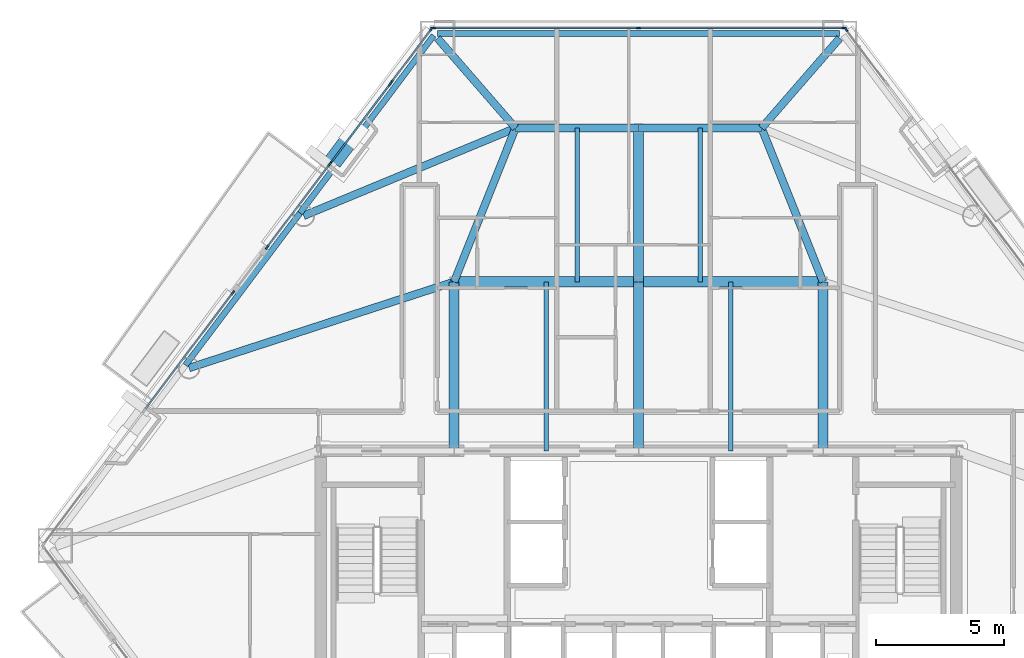
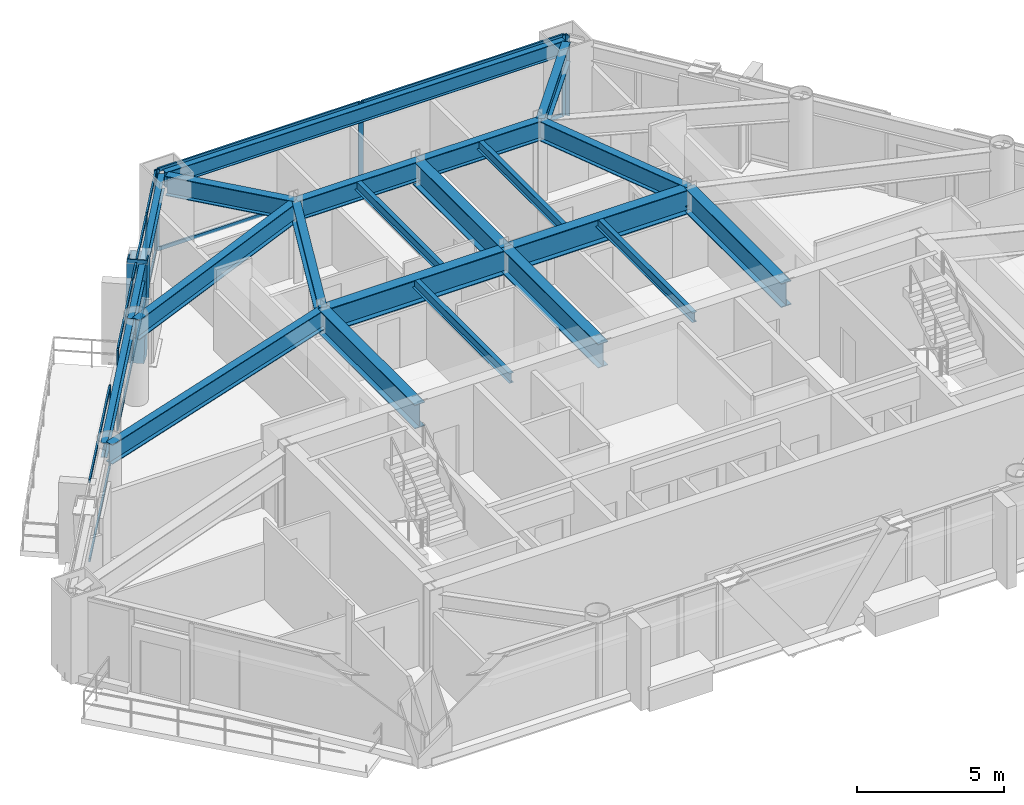
# One storey, part 3 of 11: 24 members, 21 beams, 6 elements without a shape of their own.
"""IFC4 building model written with IfcOpenShell, lengths in metres."""

from ifc_helpers import new_model, si_unit, direction, frame, origin, origin_2d, place, context, subcontext, project, spatial, rectangle, hollow_rectangle, i_section, extrude, material, layer, layer_set, material_profile, profile_set, type_object, element, aggregate, save


model = new_model("IFC4")

# Units and contexts
model_context = context("Model", 3, precision=1e-05, world=origin(), true_north=direction((0.0, 1.0)))
body_context = subcontext(model_context, "Body", "Model", "MODEL_VIEW")
ifc_project = project(units=[si_unit("LENGTHUNIT", "METRE"), si_unit("AREAUNIT", "SQUARE_METRE"), si_unit("VOLUMEUNIT", "CUBIC_METRE"), si_unit("PLANEANGLEUNIT", "RADIAN"), si_unit("MASSUNIT", "GRAM", prefix="KILO")], contexts=[model_context])

# Site, building, storey
site_placement = place(None, origin())
site = spatial("IfcSite", under=ifc_project, at=site_placement, CompositionType="ELEMENT")
building_placement = place(site_placement, origin())
building = spatial("IfcBuilding", under=site, at=building_placement, Name="Talgorran Terracotta Tower", CompositionType="ELEMENT")
storey_placement = place(building_placement, frame((0.0, 0.0, 38.699951171875)))
storey = spatial("IfcBuildingStorey", under=building, at=storey_placement, Name="L09", CompositionType="ELEMENT", Elevation=38.699951171875)

# Beams
ifc_material_1 = material(Name="Steel Grade 350 (350L0)", Category="steel")
ifc_material_profile_1 = material_profile(ifc_material_1, i_section(OverallWidth=0.39990234375, OverallDepth=1.0, WebThickness=0.01611328125, FlangeThickness=0.031005859375, at=origin_2d()), Name="1000WB296")
ifc_profile_set_1 = profile_set([ifc_material_profile_1], Name="Steel Grade 350 (350L0)")
beam_type_1 = type_object("IfcBeamType", Name="BM_1000WB296", PredefinedType="BEAM", material=ifc_profile_set_1)
for number, where, z_axis, x_axis, name in (
    (1, (-7.199951171875, -4.199951171875, 2.85009765625), (0.0, 1.0, 0.0), (-1.0, 0.0, 0.0), "L09 Floor Girder G01"),
    (2, (0.0, -4.199951171875, 2.85009765625), (0.0, 1.0, 0.0), (-1.0, 0.0, 0.0), "L09 Floor Girder G02"),
    (3, (7.199951171875, -4.199951171875, 2.85009765625), (0.0, 1.0, 0.0), (-1.0, 0.0, 0.0), "L09 Floor Girder G03"),
):
    element("IfcBeam", number, at=place(storey_placement, frame(where, z_axis=z_axis, x_axis=x_axis)), inside=storey, type_object=beam_type_1, Name=name, PredefinedType="BEAM", context=body_context, shape_type="SweptSolid", body=[
        extrude(i_section(OverallWidth=0.39990234375, OverallDepth=1.0, WebThickness=0.01611328125, FlangeThickness=0.031005859375, at=origin_2d()), origin(), (0.0, 0.0, 1.0), 6.599853515625),
    ])
for number, where, z_axis, x_axis, name in (
    (4, (-7.199951171875, 2.39990234375, 2.85009765625), (1.0, 0.0, 0.0), (0.0, 1.0, 0.0), "L09 Floor Girder G04"),
    (5, (0.0, 2.39990234375, 2.85009765625), (1.0, 0.0, 0.0), (0.0, 1.0, 0.0), "L09 Floor Girder G05"),
):
    element("IfcBeam", number, at=place(storey_placement, frame(where, z_axis=z_axis, x_axis=x_axis)), inside=storey, type_object=beam_type_1, Name=name, PredefinedType="BEAM", context=body_context, shape_type="SweptSolid", body=[
        extrude(i_section(OverallWidth=0.39990234375, OverallDepth=1.0, WebThickness=0.01611328125, FlangeThickness=0.031005859375, at=origin_2d()), origin(), (0.0, 0.0, 1.0), 7.199951171875),
    ])
beam_1_placement = place(storey_placement, frame((0.0, 2.39990234375, 2.85009765625), z_axis=(0.0, 1.0, 0.0), x_axis=(-1.0, 0.0, 0.0)))
element("IfcBeam", 6, at=beam_1_placement, inside=storey, type_object=beam_type_1, Name="L09 Floor Girder G09", PredefinedType="BEAM", context=body_context, shape_type="SweptSolid", body=[
    extrude(i_section(OverallWidth=0.39990234375, OverallDepth=1.0, WebThickness=0.01611328125, FlangeThickness=0.031005859375, at=origin_2d()), origin(), (0.0, 0.0, 1.0), 6.0),
])
ifc_material_2 = material(Name="Steel S355 (300PLUS)", Category="steel")
ifc_material_profile_2 = material_profile(ifc_material_2, i_section(OverallWidth=0.300048828125, OverallDepth=0.81591796875, WebThickness=0.013916015625, FlangeThickness=0.028076171875, at=origin_2d()), Name="800WB192")
ifc_profile_set_2 = profile_set([ifc_material_profile_2], Name="Steel S355 (300PLUS)")
beam_type_2 = type_object("IfcBeamType", Name="BM_800WB192", PredefinedType="BEAM", material=ifc_profile_set_2)
beam_2_placement = place(storey_placement, frame((-7.199951171875, 2.39990234375, 2.942138671875), z_axis=(-0.950964080861, -0.309301336746, 0.0), x_axis=(0.309301336746, -0.950964080861, 0.0)))
element("IfcBeam", 7, at=beam_2_placement, inside=storey, type_object=beam_type_2, Name="L09 Floor Girder G06", PredefinedType="BEAM", context=body_context, shape_type="SweptSolid", body=[
    extrude(i_section(OverallWidth=0.300048828125, OverallDepth=0.81591796875, WebThickness=0.013916015625, FlangeThickness=0.028076171875, at=origin_2d()), origin(), (0.0, 0.0, 1.0), 10.873046875),
])
for number, where, z_axis, x_axis, name in (
    (8, (-7.199951171875, 2.39990234375, 2.942138671875), (0.371377648723, 0.928481901832, 0.0), (-0.928481901832, 0.371377648723, 0.0), "L09 Floor Girder G08"),
    (9, (7.199951171875, 2.39990234375, 2.942138671875), (-0.371377648723, 0.928481901832, 0.0), (-0.928481901832, -0.371377648723, 0.0), "L09 Floor Girder G10"),
):
    element("IfcBeam", number, at=place(storey_placement, frame(where, z_axis=z_axis, x_axis=x_axis)), inside=storey, type_object=beam_type_2, Name=name, PredefinedType="BEAM", context=body_context, shape_type="SweptSolid", body=[
        extrude(i_section(OverallWidth=0.300048828125, OverallDepth=0.81591796875, WebThickness=0.013916015625, FlangeThickness=0.028076171875, at=origin_2d()), origin(), (0.0, 0.0, 1.0), 6.462158203125),
    ])
for number, where, z_axis, x_axis, name in (
    (10, (-4.800048828125, 8.39990234375, 2.942138671875), (1.0, 0.0, 0.0), (0.0, 1.0, 0.0), "L09 Floor Girder G11"),
    (11, (0.0, 8.39990234375, 2.942138671875), (1.0, 0.0, 0.0), (0.0, 1.0, 0.0), "L09 Floor Girder G12"),
):
    element("IfcBeam", number, at=place(storey_placement, frame(where, z_axis=z_axis, x_axis=x_axis)), inside=storey, type_object=beam_type_2, Name=name, PredefinedType="BEAM", context=body_context, shape_type="SweptSolid", body=[
        extrude(i_section(OverallWidth=0.300048828125, OverallDepth=0.81591796875, WebThickness=0.013916015625, FlangeThickness=0.028076171875, at=origin_2d()), origin(), (0.0, 0.0, 1.0), 4.800048828125),
    ])
beam_3_placement = place(storey_placement, frame((-4.800048828125, 8.39990234375, 2.942138671875), z_axis=(-0.923897446569, -0.382640181141, 0.0), x_axis=(0.382640181141, -0.923897446569, 0.0)))
element("IfcBeam", 12, at=beam_3_placement, inside=storey, type_object=beam_type_2, Name="L09 Floor Girder G13", PredefinedType="BEAM", context=body_context, shape_type="SweptSolid", body=[
    extrude(i_section(OverallWidth=0.300048828125, OverallDepth=0.81591796875, WebThickness=0.013916015625, FlangeThickness=0.028076171875, at=origin_2d()), origin(), (0.0, 0.0, 1.0), 8.947265625),
])
for number, where, z_axis, x_axis, name in (
    (13, (-4.800048828125, 8.39990234375, 2.942138671875), (-0.656030362772, 0.75473449843, 0.0), (-0.75473449843, -0.656030362772, 0.0), "L09 Floor Girder G15"),
    (14, (4.800048828125, 8.39990234375, 2.942138671875), (0.656030362772, 0.75473449843, 0.0), (-0.75473449843, 0.656030362772, 0.0), "L09 Floor Girder G16"),
):
    element("IfcBeam", number, at=place(storey_placement, frame(where, z_axis=z_axis, x_axis=x_axis)), inside=storey, type_object=beam_type_2, Name=name, PredefinedType="BEAM", context=body_context, shape_type="SweptSolid", body=[
        extrude(i_section(OverallWidth=0.300048828125, OverallDepth=0.81591796875, WebThickness=0.013916015625, FlangeThickness=0.028076171875, at=origin_2d()), origin(), (0.0, 0.0, 1.0), 4.645263671875),
    ])
ifc_material_profile_3 = material_profile(ifc_material_2, i_section(OverallWidth=0.177734375, OverallDepth=0.406494140625, WebThickness=0.0078125, FlangeThickness=0.0126953125, at=origin_2d()), Name="410UB59.7")
ifc_profile_set_3 = profile_set([ifc_material_profile_3], Name="Steel S355 (300PLUS)")
beam_type_3 = type_object("IfcBeamType", Name="BM_JS_410UB60", PredefinedType="JOIST", material=ifc_profile_set_3)
for number, where, z_axis, x_axis, name in (
    (15, (-3.60009765625, -4.199951171875, 3.146728515625), (0.0, 1.0, 0.0), (-1.0, 0.0, 0.0), "L09 Secondary Joist J01"),
    (16, (3.60009765625, -4.199951171875, 3.146728515625), (0.0, 1.0, 0.0), (-1.0, 0.0, 0.0), "L09 Secondary Joist J02"),
):
    element("IfcBeam", number, at=place(storey_placement, frame(where, z_axis=z_axis, x_axis=x_axis)), inside=storey, type_object=beam_type_3, Name=name, PredefinedType="JOIST", context=body_context, shape_type="SweptSolid", body=[
        extrude(i_section(OverallWidth=0.177734375, OverallDepth=0.406494140625, WebThickness=0.0078125, FlangeThickness=0.0126953125, at=origin_2d()), origin(), (0.0, 0.0, 1.0), 6.599853515625),
    ])
for number, where, z_axis, x_axis, name in (
    (17, (-2.39990234375, 2.39990234375, 3.146728515625), (0.0, 1.0, 0.0), (-1.0, 0.0, 0.0), "L09 Secondary Joist J03"),
    (18, (2.39990234375, 2.39990234375, 3.146728515625), (0.0, 1.0, 0.0), (-1.0, 0.0, 0.0), "L09 Secondary Joist J04"),
):
    element("IfcBeam", number, at=place(storey_placement, frame(where, z_axis=z_axis, x_axis=x_axis)), inside=storey, type_object=beam_type_3, Name=name, PredefinedType="JOIST", context=body_context, shape_type="SweptSolid", body=[
        extrude(i_section(OverallWidth=0.177734375, OverallDepth=0.406494140625, WebThickness=0.0078125, FlangeThickness=0.0126953125, at=origin_2d()), origin(), (0.0, 0.0, 1.0), 6.0),
    ])
ifc_material_profile_4 = material_profile(ifc_material_2, i_section(OverallWidth=0.22900390625, OverallDepth=0.611572265625, WebThickness=0.011962890625, FlangeThickness=0.01953125, at=origin_2d()), Name="610UB125")
ifc_profile_set_4 = profile_set([ifc_material_profile_4], Name="Steel S355 (300PLUS)")
beam_type_4 = type_object("IfcBeamType", Name="BM_SP_610UB125", PredefinedType="SPANDREL", material=ifc_profile_set_4)
beam_4_placement = place(storey_placement, frame((7.847412109375, 12.085693359375, 3.044189453125), z_axis=(-1.0, 0.0, 0.0), x_axis=(0.0, -1.0, 0.0)))
element("IfcBeam", 19, at=beam_4_placement, inside=storey, type_object=beam_type_4, Name="L09 Perimeter Spandrel Beam MC5-MC6", PredefinedType="SPANDREL", context=body_context, shape_type="SweptSolid", body=[
    extrude(i_section(OverallWidth=0.22900390625, OverallDepth=0.611572265625, WebThickness=0.011962890625, FlangeThickness=0.01953125, at=origin_2d()), origin(), (0.0, 0.0, 1.0), 15.69482421875),
])
beam_5_placement = place(storey_placement, frame((-7.9912109375, 12.013916015625, 3.044189453125), z_axis=(-0.601628840165, -0.798775774972, 0.0), x_axis=(0.798775774972, -0.601628840165, 0.0)))
element("IfcBeam", 20, at=beam_5_placement, inside=storey, type_object=beam_type_4, Name="L09 Perimeter Spandrel Beam MC6-FC5", PredefinedType="SPANDREL", context=body_context, shape_type="SweptSolid", body=[
    extrude(i_section(OverallWidth=0.22900390625, OverallDepth=0.611572265625, WebThickness=0.011962890625, FlangeThickness=0.01953125, at=origin_2d()), origin(), (0.0, 0.0, 1.0), 8.6748046875),
])
beam_6_placement = place(storey_placement, frame((-13.210205078125, 5.084716796875, 3.044189453125), z_axis=(-0.601616830796, -0.79878482015, 0.0), x_axis=(0.79878482015, -0.601616830796, 0.0)))
element("IfcBeam", 21, at=beam_6_placement, inside=storey, type_object=beam_type_4, Name="L09 Perimeter Spandrel Beam FC5-FC6", PredefinedType="SPANDREL", context=body_context, shape_type="SweptSolid", body=[
    extrude(i_section(OverallWidth=0.22900390625, OverallDepth=0.611572265625, WebThickness=0.011962890625, FlangeThickness=0.01953125, at=origin_2d()), origin(), (0.0, 0.0, 1.0), 7.435546875),
])

# Member
ifc_material_profile_5 = material_profile(ifc_material_1, hollow_rectangle(XDim=0.699951171875, YDim=0.89990234375, WallThickness=0.050048828125, at=origin_2d()), Name="WBOX900X700X50")
ifc_profile_set_5 = profile_set([ifc_material_profile_5], Name="Steel Grade 350 (350L0)")
member_type_1 = type_object("IfcMemberType", Name="MB_MEGA_900", PredefinedType="BRACE", material=ifc_profile_set_5)
member_1_placement = place(storey_placement, frame((-11.6708984375, 7.427734375, -0.27001953125), z_axis=(0.149361809971, 0.198219083172, 0.968710609413), x_axis=(-0.798649032494, 0.60179707784, 0.0)))
element("IfcMember", 22, at=member_1_placement, inside=storey, type_object=member_type_1, Name="L09 Exterior Face Mega-Brace MB-1 (NWU)", PredefinedType="BRACE", context=body_context, shape_type="SweptSolid", body=[
    extrude(hollow_rectangle(XDim=0.699951171875, YDim=0.89990234375, WallThickness=0.050048828125, at=origin_2d()), origin(), (0.0, 0.0, 1.0), 3.7626953125),
])

# Curtain wall, member
ifc_material_3 = material(Name="Unitised Low-E Double Glazing", Category="glass")
ifc_layer = layer(ifc_material_3, 0.199951171875, Name="CW_SYS2_RES_LOW")
ifc_layer_set = layer_set([ifc_layer], Name="Unitised Low-E Double Glazing")
curtain_wall_type = type_object("IfcCurtainWallType", Name="CW_SYS2_RES_LOW", PredefinedType="NOTDEFINED", material=ifc_layer_set)
curtain_wall_1_placement = place(storey_placement, origin())
curtain_wall_1 = element("IfcCurtainWall", 23, at=curtain_wall_1_placement, inside=storey, type_object=curtain_wall_type, Name="CW-L09-F41C", PredefinedType="NOTDEFINED")
ifc_material_4 = material(Name="Architectural Aluminium 6063-T6", Category="aluminium")
ifc_material_profile_6 = material_profile(ifc_material_4, rectangle(XDim=0.06494140625, YDim=0.18505859375, at=origin_2d()), Name="CWM65X185")
ifc_profile_set_6 = profile_set([ifc_material_profile_6], Name="Architectural Aluminium 6063-T6")
member_type_2 = type_object("IfcMemberType", Name="MUL_65X185", PredefinedType="MULLION", material=ifc_profile_set_6)
member_2_placement = place(storey_placement, frame((8.090576171875, 12.247802734375, 0.0), z_axis=(0.0, 0.0, 1.0), x_axis=(-0.798787663306, -0.601613055834, 0.0)))
member_2 = element("IfcMember", 24, at=member_2_placement, type_object=member_type_2, Name="CW-L09-41C mullion 2", PredefinedType="MULLION", context=body_context, shape_type="SweptSolid", body=[
    extrude(rectangle(XDim=0.06494140625, YDim=0.18505859375, at=origin_2d()), origin(), (0.0, 0.0, 1.0), 3.35009765625),
])
aggregate(curtain_wall_1, [member_2])

# Curtain wall, members
curtain_wall_2_placement = place(storey_placement, origin())
curtain_wall_2 = element("IfcCurtainWall", 25, at=curtain_wall_2_placement, inside=storey, type_object=curtain_wall_type, Name="CW-L09-F4", PredefinedType="NOTDEFINED")
member_3_placement = place(storey_placement, frame((8.014404296875, 12.3056640625, 0.0), z_axis=(0.0, 0.0, 1.0), x_axis=(0.0, -1.0, 0.0)))
member_3 = element("IfcMember", 26, at=member_3_placement, type_object=member_type_2, Name="CW-L09-4 mullion 1", PredefinedType="MULLION", context=body_context, shape_type="SweptSolid", body=[
    extrude(rectangle(XDim=0.06494140625, YDim=0.18505859375, at=origin_2d()), origin(), (0.0, 0.0, 1.0), 3.35009765625),
])
member_4_placement = place(storey_placement, frame((0.0, 12.3056640625, 0.0), z_axis=(0.0, 0.0, 1.0), x_axis=(0.0, -1.0, 0.0)))
member_4 = element("IfcMember", 27, at=member_4_placement, type_object=member_type_2, Name="CW-L09-4 mullion 2", PredefinedType="MULLION", context=body_context, shape_type="SweptSolid", body=[
    extrude(rectangle(XDim=0.06494140625, YDim=0.18505859375, at=origin_2d()), origin(), (0.0, 0.0, 1.0), 3.35009765625),
])
member_5_placement = place(storey_placement, frame((-8.014404296875, 12.3056640625, 0.0), z_axis=(0.0, 0.0, 1.0), x_axis=(0.0, -1.0, 0.0)))
member_5 = element("IfcMember", 28, at=member_5_placement, type_object=member_type_2, Name="CW-L09-4 mullion 3", PredefinedType="MULLION", context=body_context, shape_type="SweptSolid", body=[
    extrude(rectangle(XDim=0.06494140625, YDim=0.18505859375, at=origin_2d()), origin(), (0.0, 0.0, 1.0), 3.35009765625),
])

curtain_wall_3_placement = place(storey_placement, origin())
curtain_wall_3 = element("IfcCurtainWall", 29, at=curtain_wall_3_placement, inside=storey, type_object=curtain_wall_type, Name="CW-L09-F60", PredefinedType="NOTDEFINED")
member_6_placement = place(storey_placement, frame((-8.090576171875, 12.247802734375, 0.0), z_axis=(0.0, 0.0, 1.0), x_axis=(0.798769504198, -0.60163716571, 0.0)))
member_6 = element("IfcMember", 30, at=member_6_placement, type_object=member_type_2, Name="CW-L09-60 mullion 1", PredefinedType="MULLION", context=body_context, shape_type="SweptSolid", body=[
    extrude(rectangle(XDim=0.06494140625, YDim=0.18505859375, at=origin_2d()), origin(), (0.0, 0.0, 1.0), 3.35009765625),
])
member_7_placement = place(storey_placement, frame((-9.6435546875, 10.185791015625, 0.0), z_axis=(0.0, 0.0, 1.0), x_axis=(0.798769504198, -0.60163716571, 0.0)))
member_7 = element("IfcMember", 31, at=member_7_placement, type_object=member_type_2, Name="CW-L09-60 mullion 2", PredefinedType="MULLION", context=body_context, shape_type="SweptSolid", body=[
    extrude(rectangle(XDim=0.06494140625, YDim=0.18505859375, at=origin_2d()), origin(), (0.0, 0.0, 1.0), 3.35009765625),
])

curtain_wall_4_placement = place(storey_placement, origin())
curtain_wall_4 = element("IfcCurtainWall", 32, at=curtain_wall_4_placement, inside=storey, type_object=curtain_wall_type, Name="CW-L09-F60B", PredefinedType="NOTDEFINED")
member_8_placement = place(storey_placement, frame((-9.688720703125, 10.125732421875, 0.0), z_axis=(0.0, 0.0, 1.0), x_axis=(0.798774003378, -0.601631192283, 0.0)))
member_8 = element("IfcMember", 33, at=member_8_placement, type_object=member_type_2, Name="CW-L09-60B mullion 1", PredefinedType="MULLION", context=body_context, shape_type="SweptSolid", body=[
    extrude(rectangle(XDim=0.06494140625, YDim=0.18505859375, at=origin_2d()), origin(), (0.0, 0.0, 1.0), 3.35009765625),
])
member_9_placement = place(storey_placement, frame((-12.00830078125, 7.046142578125, 0.0), z_axis=(0.0, 0.0, 1.0), x_axis=(0.798774003378, -0.601631192283, 0.0)))
member_9 = element("IfcMember", 34, at=member_9_placement, type_object=member_type_2, Name="CW-L09-60B mullion 2", PredefinedType="MULLION", context=body_context, shape_type="SweptSolid", body=[
    extrude(rectangle(XDim=0.06494140625, YDim=0.18505859375, at=origin_2d()), origin(), (0.0, 0.0, 1.0), 3.35009765625),
])

curtain_wall_5_placement = place(storey_placement, origin())
curtain_wall_5 = element("IfcCurtainWall", 35, at=curtain_wall_5_placement, inside=storey, type_object=curtain_wall_type, Name="CW-L09-F60C", PredefinedType="NOTDEFINED")
member_10_placement = place(storey_placement, frame((-12.053466796875, 6.986328125, 0.0), z_axis=(0.0, 0.0, 1.0), x_axis=(0.798777858358, -0.601626074067, 0.0)))
member_10 = element("IfcMember", 36, at=member_10_placement, type_object=member_type_2, Name="CW-L09-60C mullion 1", PredefinedType="MULLION", context=body_context, shape_type="SweptSolid", body=[
    extrude(rectangle(XDim=0.06494140625, YDim=0.18505859375, at=origin_2d()), origin(), (0.0, 0.0, 1.0), 3.35009765625),
])
member_11_placement = place(storey_placement, frame((-14.492919921875, 3.74755859375, 0.0), z_axis=(0.0, 0.0, 1.0), x_axis=(0.798777858358, -0.601626074067, 0.0)))
member_11 = element("IfcMember", 37, at=member_11_placement, type_object=member_type_2, Name="CW-L09-60C mullion 2", PredefinedType="MULLION", context=body_context, shape_type="SweptSolid", body=[
    extrude(rectangle(XDim=0.06494140625, YDim=0.18505859375, at=origin_2d()), origin(), (0.0, 0.0, 1.0), 3.35009765625),
])

# Curtain wall, member
curtain_wall_6_placement = place(storey_placement, origin())
curtain_wall_6 = element("IfcCurtainWall", 38, at=curtain_wall_6_placement, inside=storey, type_object=curtain_wall_type, Name="CW-L09-F61", PredefinedType="NOTDEFINED")
member_12_placement = place(storey_placement, frame((-15.83154296875, 1.97021484375, 0.0), z_axis=(0.0, 0.0, 1.0), x_axis=(0.79877585665, -0.601628731722, 0.0)))
member_12 = element("IfcMember", 39, at=member_12_placement, type_object=member_type_2, Name="CW-L09-61 mullion 1", PredefinedType="MULLION", context=body_context, shape_type="SweptSolid", body=[
    extrude(rectangle(XDim=0.06494140625, YDim=0.18505859375, at=origin_2d()), origin(), (0.0, 0.0, 1.0), 3.35009765625),
])

# Member
ifc_material_profile_7 = material_profile(ifc_material_4, rectangle(XDim=0.06494140625, YDim=0.14990234375, at=origin_2d()), Name="CWT65X150")
ifc_profile_set_7 = profile_set([ifc_material_profile_7], Name="Architectural Aluminium 6063-T6")
member_type_3 = type_object("IfcMemberType", Name="TRN_65X150", PredefinedType="USERDEFINED", material=ifc_profile_set_7)
member_13_placement = place(storey_placement, frame((7.98193359375, 12.3056640625, 0.032470703125), z_axis=(-1.0, 0.0, 0.0), x_axis=(0.0, -1.0, 0.0)))
member_13 = element("IfcMember", 40, at=member_13_placement, type_object=member_type_3, Name="CW-L09-4 transom 1.1", ObjectType="TRANSOM", PredefinedType="USERDEFINED", context=body_context, shape_type="SweptSolid", body=[
    extrude(rectangle(XDim=0.06494140625, YDim=0.14990234375, at=origin_2d()), origin(), (0.0, 0.0, 1.0), 7.949462890625),
])

member_14_placement = place(storey_placement, frame((7.98193359375, 12.3056640625, 3.317626953125), z_axis=(-1.0, 0.0, 0.0), x_axis=(0.0, -1.0, 0.0)))
member_14 = element("IfcMember", 41, at=member_14_placement, type_object=member_type_3, Name="CW-L09-4 transom 1.2", ObjectType="TRANSOM", PredefinedType="USERDEFINED", context=body_context, shape_type="SweptSolid", body=[
    extrude(rectangle(XDim=0.06494140625, YDim=0.14990234375, at=origin_2d()), origin(), (0.0, 0.0, 1.0), 7.949462890625),
])

member_15_placement = place(storey_placement, frame((-0.032470703125, 12.3056640625, 0.032470703125), z_axis=(-1.0, 0.0, 0.0), x_axis=(0.0, -1.0, 0.0)))
member_15 = element("IfcMember", 42, at=member_15_placement, type_object=member_type_3, Name="CW-L09-4 transom 2.1", ObjectType="TRANSOM", PredefinedType="USERDEFINED", context=body_context, shape_type="SweptSolid", body=[
    extrude(rectangle(XDim=0.06494140625, YDim=0.14990234375, at=origin_2d()), origin(), (0.0, 0.0, 1.0), 7.949462890625),
])

member_16_placement = place(storey_placement, frame((-0.032470703125, 12.3056640625, 3.317626953125), z_axis=(-1.0, 0.0, 0.0), x_axis=(0.0, -1.0, 0.0)))
member_16 = element("IfcMember", 43, at=member_16_placement, type_object=member_type_3, Name="CW-L09-4 transom 2.2", ObjectType="TRANSOM", PredefinedType="USERDEFINED", context=body_context, shape_type="SweptSolid", body=[
    extrude(rectangle(XDim=0.06494140625, YDim=0.14990234375, at=origin_2d()), origin(), (0.0, 0.0, 1.0), 7.949462890625),
])

aggregate(curtain_wall_2, [member_3, member_4, member_5, member_13, member_14, member_15, member_16])

member_17_placement = place(storey_placement, frame((-8.110107421875, 12.2216796875, 0.032470703125), z_axis=(-0.601628711481, -0.798775871895, 0.0), x_axis=(0.798775871895, -0.601628711481, 0.0)))
member_17 = element("IfcMember", 44, at=member_17_placement, type_object=member_type_3, Name="CW-L09-60 transom 1.1", ObjectType="TRANSOM", PredefinedType="USERDEFINED", context=body_context, shape_type="SweptSolid", body=[
    extrude(rectangle(XDim=0.06494140625, YDim=0.14990234375, at=origin_2d()), origin(), (0.0, 0.0, 1.0), 2.516357421875),
])

member_18_placement = place(storey_placement, frame((-8.110107421875, 12.2216796875, 3.317626953125), z_axis=(-0.601628711481, -0.798775871895, 0.0), x_axis=(0.798775871895, -0.601628711481, 0.0)))
member_18 = element("IfcMember", 45, at=member_18_placement, type_object=member_type_3, Name="CW-L09-60 transom 1.2", ObjectType="TRANSOM", PredefinedType="USERDEFINED", context=body_context, shape_type="SweptSolid", body=[
    extrude(rectangle(XDim=0.06494140625, YDim=0.14990234375, at=origin_2d()), origin(), (0.0, 0.0, 1.0), 2.516357421875),
])

aggregate(curtain_wall_3, [member_6, member_7, member_17, member_18])

member_19_placement = place(storey_placement, frame((-9.708251953125, 10.099853515625, 0.032470703125), z_axis=(-0.601626969468, -0.798777183956, 0.0), x_axis=(0.798777183956, -0.601626969468, 0.0)))
member_19 = element("IfcMember", 46, at=member_19_placement, type_object=member_type_3, Name="CW-L09-60B transom 1.1", ObjectType="TRANSOM", PredefinedType="USERDEFINED", context=body_context, shape_type="SweptSolid", body=[
    extrude(rectangle(XDim=0.06494140625, YDim=0.14990234375, at=origin_2d()), origin(), (0.0, 0.0, 1.0), 3.79052734375),
])

member_20_placement = place(storey_placement, frame((-9.708251953125, 10.099853515625, 3.317626953125), z_axis=(-0.601626969468, -0.798777183956, 0.0), x_axis=(0.798777183956, -0.601626969468, 0.0)))
member_20 = element("IfcMember", 47, at=member_20_placement, type_object=member_type_3, Name="CW-L09-60B transom 1.2", ObjectType="TRANSOM", PredefinedType="USERDEFINED", context=body_context, shape_type="SweptSolid", body=[
    extrude(rectangle(XDim=0.06494140625, YDim=0.14990234375, at=origin_2d()), origin(), (0.0, 0.0, 1.0), 3.79052734375),
])

aggregate(curtain_wall_4, [member_8, member_9, member_19, member_20])

member_21_placement = place(storey_placement, frame((-12.072998046875, 6.960205078125, 0.032470703125), z_axis=(-0.601653385792, -0.798757286894, 0.0), x_axis=(0.798757286894, -0.601653385792, 0.0)))
member_21 = element("IfcMember", 48, at=member_21_placement, type_object=member_type_3, Name="CW-L09-60C transom 1.1", ObjectType="TRANSOM", PredefinedType="USERDEFINED", context=body_context, shape_type="SweptSolid", body=[
    extrude(rectangle(XDim=0.06494140625, YDim=0.14990234375, at=origin_2d()), origin(), (0.0, 0.0, 1.0), 3.98974609375),
])

member_22_placement = place(storey_placement, frame((-12.072998046875, 6.960205078125, 3.317626953125), z_axis=(-0.601653385792, -0.798757286894, 0.0), x_axis=(0.798757286894, -0.601653385792, 0.0)))
member_22 = element("IfcMember", 49, at=member_22_placement, type_object=member_type_3, Name="CW-L09-60C transom 1.2", ObjectType="TRANSOM", PredefinedType="USERDEFINED", context=body_context, shape_type="SweptSolid", body=[
    extrude(rectangle(XDim=0.06494140625, YDim=0.14990234375, at=origin_2d()), origin(), (0.0, 0.0, 1.0), 3.98974609375),
])

aggregate(curtain_wall_5, [member_10, member_11, member_21, member_22])

member_23_placement = place(storey_placement, frame((-15.85107421875, 1.944091796875, 0.032470703125), z_axis=(-0.601627457357, -0.798776816485, 0.0), x_axis=(0.798776816485, -0.601627457357, 0.0)))
member_23 = element("IfcMember", 50, at=member_23_placement, type_object=member_type_3, Name="CW-L09-61 transom 1.1", ObjectType="TRANSOM", PredefinedType="USERDEFINED", context=body_context, shape_type="SweptSolid", body=[
    extrude(rectangle(XDim=0.06494140625, YDim=0.14990234375, at=origin_2d()), origin(), (0.0, 0.0, 1.0), 5.6123046875),
])

member_24_placement = place(storey_placement, frame((-15.85107421875, 1.944091796875, 3.317626953125), z_axis=(-0.601627457357, -0.798776816485, 0.0), x_axis=(0.798776816485, -0.601627457357, 0.0)))
member_24 = element("IfcMember", 51, at=member_24_placement, type_object=member_type_3, Name="CW-L09-61 transom 1.2", ObjectType="TRANSOM", PredefinedType="USERDEFINED", context=body_context, shape_type="SweptSolid", body=[
    extrude(rectangle(XDim=0.06494140625, YDim=0.14990234375, at=origin_2d()), origin(), (0.0, 0.0, 1.0), 5.6123046875),
])

aggregate(curtain_wall_6, [member_12, member_23, member_24])

save(model, "model.ifc")
